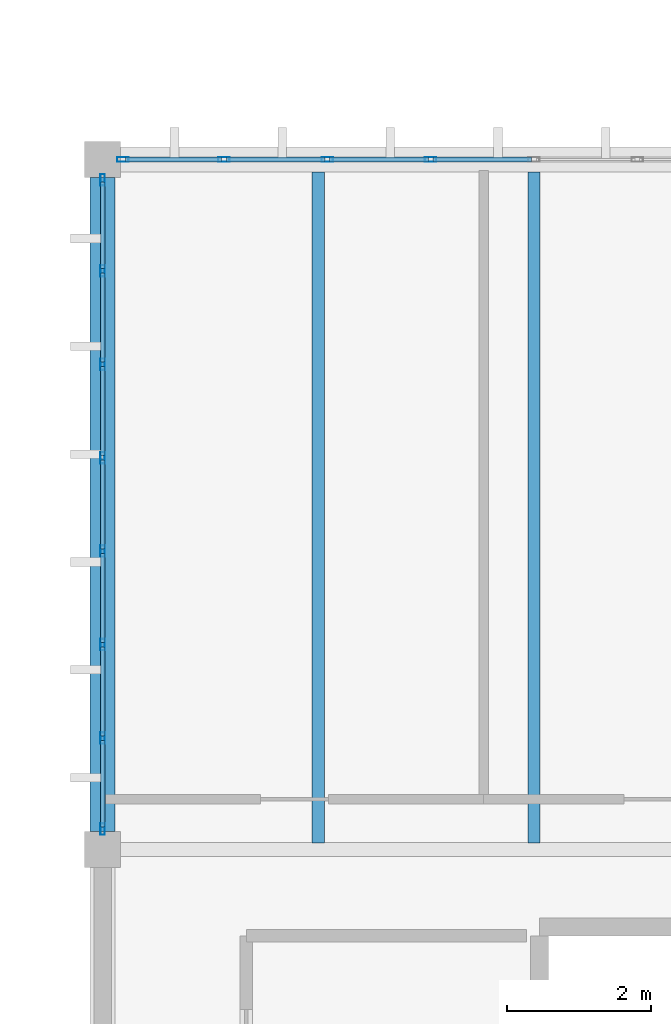
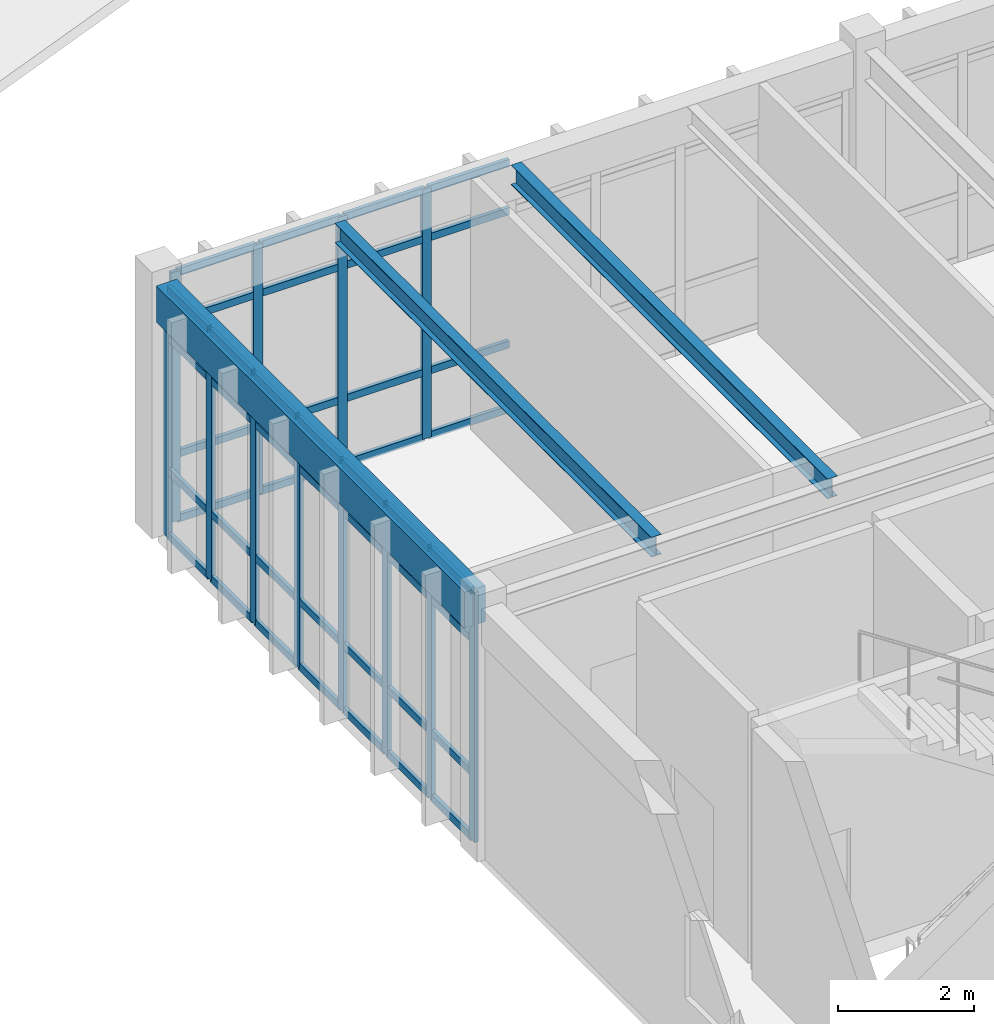
# One storey, part 17 of 236: 56 members, 3 beams, 2 elements without a shape of their own.
"""IFC4 building model written with IfcOpenShell, lengths in metres."""

from ifc_helpers import new_model, si_unit, direction, frame, origin, origin_2d, place, context, subcontext, project, spatial, rectangle, hollow_rectangle, i_section, extrude, material, layer, layer_set, material_profile, profile_set, type_object, element, aggregate, save


model = new_model("IFC4")

# Units and contexts
model_context = context("Model", 3, precision=1e-05, world=origin(), true_north=direction((0.0, 1.0)))
body_context = subcontext(model_context, "Body", "Model", "MODEL_VIEW")
ifc_project = project(units=[si_unit("LENGTHUNIT", "METRE"), si_unit("AREAUNIT", "SQUARE_METRE"), si_unit("VOLUMEUNIT", "CUBIC_METRE"), si_unit("PLANEANGLEUNIT", "RADIAN"), si_unit("MASSUNIT", "GRAM", prefix="KILO")], contexts=[model_context])

# Site, building, storey
site_placement = place(None, origin())
site = spatial("IfcSite", under=ifc_project, at=site_placement, CompositionType="ELEMENT")
building_placement = place(site_placement, origin())
building = spatial("IfcBuilding", under=site, at=building_placement, Name="Pandanus Reach Market Hall", CompositionType="ELEMENT")
storey_placement = place(building_placement, frame((0.0, 0.0, 5.39990234375)))
storey = spatial("IfcBuildingStorey", under=building, at=storey_placement, Name="L01", CompositionType="ELEMENT", Elevation=5.39990234375)

# Beam
ifc_material_1 = material(Name="Concrete N40 (40 MPa)", Category="concrete")
ifc_material_profile_1 = material_profile(ifc_material_1, rectangle(XDim=0.35009765625, YDim=0.64990234375, at=origin_2d()), Name="RC350x650", Category="LoadBearing")
ifc_profile_set_1 = profile_set([ifc_material_profile_1], Name="Concrete N40 (40 MPa)")
beam_type_1 = type_object("IfcBeamType", Name="BM-RC350-E", PredefinedType="SPANDREL", material=ifc_profile_set_1)
beam_placement = place(storey_placement, frame((0.0, 19.447998046875, 4.210205078125), z_axis=(0.0, 1.0, 0.0), x_axis=(-1.0, 0.0, 0.0)))
element("IfcBeam", 1, at=beam_placement, inside=storey, type_object=beam_type_1, Name="Framing beam BM-RC350-E L01.980", PredefinedType="SPANDREL", context=body_context, shape_type="SweptSolid", body=[
    extrude(rectangle(XDim=0.35009765625, YDim=0.64990234375, at=origin_2d()), origin(), (0.0, 0.0, 1.0), 9.10400390625),
])

# Curtain wall, members
ifc_material_2 = material(Name="Bronze anodised aluminium and low-E glass", Category="aluminium")
ifc_layer_1 = layer(ifc_material_2, 0.159912109375, Name="CW-17")
ifc_layer_set_1 = layer_set([ifc_layer_1], Name="Bronze anodised aluminium and low-E glass")
curtain_wall_type_1 = type_object("IfcCurtainWallType", Name="CW-17", PredefinedType="NOTDEFINED", material=ifc_layer_set_1)
curtain_wall_1_placement = place(storey_placement, origin())
curtain_wall_1 = element("IfcCurtainWall", 2, at=curtain_wall_1_placement, inside=storey, type_object=curtain_wall_type_1, Name="Glazed curtain wall CW-17 CW-0057", PredefinedType="NOTDEFINED")
ifc_material_3 = material(Name="Bronze anodised aluminium", Category="aluminium")
ifc_material_profile_2 = material_profile(ifc_material_3, hollow_rectangle(XDim=0.06494140625, YDim=0.159912109375, WallThickness=0.00390625, at=origin_2d()), Name="ALU65x160", Category="LoadBearing")
ifc_profile_set_2 = profile_set([ifc_material_profile_2], Name="Bronze anodised aluminium")
member_type_1 = type_object("IfcMemberType", Name="CW-M1", PredefinedType="MULLION", material=ifc_profile_set_2)
member_1_placement = place(storey_placement, frame((0.282470703125, 28.800048828125, 0.0), z_axis=(0.0, 0.0, 1.0), x_axis=(0.0, 1.0, 0.0)))
member_1 = element("IfcMember", 3, at=member_1_placement, type_object=member_type_1, Name="CW-17 mullion 1", PredefinedType="MULLION", context=body_context, shape_type="SweptSolid", body=[
    extrude(hollow_rectangle(XDim=0.06494140625, YDim=0.159912109375, WallThickness=0.00390625, at=origin_2d()), origin(), (0.0, 0.0, 1.0), 4.5),
])
member_2_placement = place(storey_placement, frame((1.6875, 28.800048828125, 0.0), z_axis=(0.0, 0.0, 1.0), x_axis=(0.0, 1.0, 0.0)))
member_2 = element("IfcMember", 4, at=member_2_placement, type_object=member_type_1, Name="CW-17 mullion 2", PredefinedType="MULLION", context=body_context, shape_type="SweptSolid", body=[
    extrude(hollow_rectangle(XDim=0.06494140625, YDim=0.159912109375, WallThickness=0.00390625, at=origin_2d()), origin(), (0.0, 0.0, 1.0), 4.5),
])
member_3_placement = place(storey_placement, frame((3.125, 28.800048828125, 0.0), z_axis=(0.0, 0.0, 1.0), x_axis=(0.0, 1.0, 0.0)))
member_3 = element("IfcMember", 5, at=member_3_placement, type_object=member_type_1, Name="CW-17 mullion 3", PredefinedType="MULLION", context=body_context, shape_type="SweptSolid", body=[
    extrude(hollow_rectangle(XDim=0.06494140625, YDim=0.159912109375, WallThickness=0.00390625, at=origin_2d()), origin(), (0.0, 0.0, 1.0), 4.5),
])
member_4_placement = place(storey_placement, frame((4.5625, 28.800048828125, 0.0), z_axis=(0.0, 0.0, 1.0), x_axis=(0.0, 1.0, 0.0)))
member_4 = element("IfcMember", 6, at=member_4_placement, type_object=member_type_1, Name="CW-17 mullion 4", PredefinedType="MULLION", context=body_context, shape_type="SweptSolid", body=[
    extrude(hollow_rectangle(XDim=0.06494140625, YDim=0.159912109375, WallThickness=0.00390625, at=origin_2d()), origin(), (0.0, 0.0, 1.0), 4.5),
])

ifc_layer_2 = layer(ifc_material_2, 0.159912109375, Name="CW-19")
ifc_layer_set_2 = layer_set([ifc_layer_2], Name="Bronze anodised aluminium and low-E glass")
curtain_wall_type_2 = type_object("IfcCurtainWallType", Name="CW-19", PredefinedType="NOTDEFINED", material=ifc_layer_set_2)
curtain_wall_2_placement = place(storey_placement, origin())
curtain_wall_2 = element("IfcCurtainWall", 7, at=curtain_wall_2_placement, inside=storey, type_object=curtain_wall_type_2, Name="Glazed curtain wall CW-19 CW-0060", PredefinedType="NOTDEFINED")
member_5_placement = place(storey_placement, frame((0.0, 19.482421875, 0.0), z_axis=(0.0, 0.0, 1.0), x_axis=(-1.0, 0.0, 0.0)))
member_5 = element("IfcMember", 8, at=member_5_placement, type_object=member_type_1, Name="CW-19 mullion 1", PredefinedType="MULLION", context=body_context, shape_type="SweptSolid", body=[
    extrude(hollow_rectangle(XDim=0.06494140625, YDim=0.159912109375, WallThickness=0.00390625, at=origin_2d()), origin(), (0.0, 0.0, 1.0), 4.5),
])
member_6_placement = place(storey_placement, frame((0.0, 20.75, 0.0), z_axis=(0.0, 0.0, 1.0), x_axis=(-1.0, 0.0, 0.0)))
member_6 = element("IfcMember", 9, at=member_6_placement, type_object=member_type_1, Name="CW-19 mullion 2", PredefinedType="MULLION", context=body_context, shape_type="SweptSolid", body=[
    extrude(hollow_rectangle(XDim=0.06494140625, YDim=0.159912109375, WallThickness=0.00390625, at=origin_2d()), origin(), (0.0, 0.0, 1.0), 4.5),
])
member_7_placement = place(storey_placement, frame((0.0, 22.050048828125, 0.0), z_axis=(0.0, 0.0, 1.0), x_axis=(-1.0, 0.0, 0.0)))
member_7 = element("IfcMember", 10, at=member_7_placement, type_object=member_type_1, Name="CW-19 mullion 3", PredefinedType="MULLION", context=body_context, shape_type="SweptSolid", body=[
    extrude(hollow_rectangle(XDim=0.06494140625, YDim=0.159912109375, WallThickness=0.00390625, at=origin_2d()), origin(), (0.0, 0.0, 1.0), 4.5),
])
member_8_placement = place(storey_placement, frame((0.0, 23.35009765625, 0.0), z_axis=(0.0, 0.0, 1.0), x_axis=(-1.0, 0.0, 0.0)))
member_8 = element("IfcMember", 11, at=member_8_placement, type_object=member_type_1, Name="CW-19 mullion 4", PredefinedType="MULLION", context=body_context, shape_type="SweptSolid", body=[
    extrude(hollow_rectangle(XDim=0.06494140625, YDim=0.159912109375, WallThickness=0.00390625, at=origin_2d()), origin(), (0.0, 0.0, 1.0), 4.5),
])
member_9_placement = place(storey_placement, frame((0.0, 24.64990234375, 0.0), z_axis=(0.0, 0.0, 1.0), x_axis=(-1.0, 0.0, 0.0)))
member_9 = element("IfcMember", 12, at=member_9_placement, type_object=member_type_1, Name="CW-19 mullion 5", PredefinedType="MULLION", context=body_context, shape_type="SweptSolid", body=[
    extrude(hollow_rectangle(XDim=0.06494140625, YDim=0.159912109375, WallThickness=0.00390625, at=origin_2d()), origin(), (0.0, 0.0, 1.0), 4.5),
])
member_10_placement = place(storey_placement, frame((0.0, 25.949951171875, 0.0), z_axis=(0.0, 0.0, 1.0), x_axis=(-1.0, 0.0, 0.0)))
member_10 = element("IfcMember", 13, at=member_10_placement, type_object=member_type_1, Name="CW-19 mullion 6", PredefinedType="MULLION", context=body_context, shape_type="SweptSolid", body=[
    extrude(hollow_rectangle(XDim=0.06494140625, YDim=0.159912109375, WallThickness=0.00390625, at=origin_2d()), origin(), (0.0, 0.0, 1.0), 4.5),
])
member_11_placement = place(storey_placement, frame((0.0, 27.25, 0.0), z_axis=(0.0, 0.0, 1.0), x_axis=(-1.0, 0.0, 0.0)))
member_11 = element("IfcMember", 14, at=member_11_placement, type_object=member_type_1, Name="CW-19 mullion 7", PredefinedType="MULLION", context=body_context, shape_type="SweptSolid", body=[
    extrude(hollow_rectangle(XDim=0.06494140625, YDim=0.159912109375, WallThickness=0.00390625, at=origin_2d()), origin(), (0.0, 0.0, 1.0), 4.5),
])
member_12_placement = place(storey_placement, frame((0.0, 28.517578125, 0.0), z_axis=(0.0, 0.0, 1.0), x_axis=(-1.0, 0.0, 0.0)))
member_12 = element("IfcMember", 15, at=member_12_placement, type_object=member_type_1, Name="CW-19 mullion 8", PredefinedType="MULLION", context=body_context, shape_type="SweptSolid", body=[
    extrude(hollow_rectangle(XDim=0.06494140625, YDim=0.159912109375, WallThickness=0.00390625, at=origin_2d()), origin(), (0.0, 0.0, 1.0), 4.5),
])

# Member
ifc_material_profile_3 = material_profile(ifc_material_3, hollow_rectangle(XDim=0.06494140625, YDim=0.1298828125, WallThickness=0.00390625, at=origin_2d()), Name="ALU65x130", Category="LoadBearing")
ifc_profile_set_3 = profile_set([ifc_material_profile_3], Name="Bronze anodised aluminium")
member_type_2 = type_object("IfcMemberType", Name="CW-T1", PredefinedType="USERDEFINED", material=ifc_profile_set_3)
member_13_placement = place(storey_placement, frame((0.31494140625, 28.800048828125, 0.03271484375), z_axis=(1.0, 0.0, 0.0), x_axis=(0.0, 1.0, 0.0)))
member_13 = element("IfcMember", 16, at=member_13_placement, type_object=member_type_2, Name="CW-17 transom 1.1", ObjectType="TRANSOM", PredefinedType="USERDEFINED", context=body_context, shape_type="SweptSolid", body=[
    extrude(hollow_rectangle(XDim=0.06494140625, YDim=0.1298828125, WallThickness=0.00390625, at=origin_2d()), origin(), (0.0, 0.0, 1.0), 1.340087890625),
])

member_14_placement = place(storey_placement, frame((0.31494140625, 28.800048828125, 1.2001953125), z_axis=(1.0, 0.0, 0.0), x_axis=(0.0, 1.0, 0.0)))
member_14 = element("IfcMember", 17, at=member_14_placement, type_object=member_type_2, Name="CW-17 transom 1.2", ObjectType="TRANSOM", PredefinedType="USERDEFINED", context=body_context, shape_type="SweptSolid", body=[
    extrude(hollow_rectangle(XDim=0.06494140625, YDim=0.1298828125, WallThickness=0.00390625, at=origin_2d()), origin(), (0.0, 0.0, 1.0), 1.340087890625),
])

member_15_placement = place(storey_placement, frame((0.31494140625, 28.800048828125, 3.60009765625), z_axis=(1.0, 0.0, 0.0), x_axis=(0.0, 1.0, 0.0)))
member_15 = element("IfcMember", 18, at=member_15_placement, type_object=member_type_2, Name="CW-17 transom 1.3", ObjectType="TRANSOM", PredefinedType="USERDEFINED", context=body_context, shape_type="SweptSolid", body=[
    extrude(hollow_rectangle(XDim=0.06494140625, YDim=0.1298828125, WallThickness=0.00390625, at=origin_2d()), origin(), (0.0, 0.0, 1.0), 1.340087890625),
])

member_16_placement = place(storey_placement, frame((0.31494140625, 28.800048828125, 4.467529296875), z_axis=(1.0, 0.0, 0.0), x_axis=(0.0, 1.0, 0.0)))
member_16 = element("IfcMember", 19, at=member_16_placement, type_object=member_type_2, Name="CW-17 transom 1.4", ObjectType="TRANSOM", PredefinedType="USERDEFINED", context=body_context, shape_type="SweptSolid", body=[
    extrude(hollow_rectangle(XDim=0.06494140625, YDim=0.1298828125, WallThickness=0.00390625, at=origin_2d()), origin(), (0.0, 0.0, 1.0), 1.340087890625),
])

member_17_placement = place(storey_placement, frame((1.719970703125, 28.800048828125, 0.03271484375), z_axis=(1.0, 0.0, 0.0), x_axis=(0.0, 1.0, 0.0)))
member_17 = element("IfcMember", 20, at=member_17_placement, type_object=member_type_2, Name="CW-17 transom 2.1", ObjectType="TRANSOM", PredefinedType="USERDEFINED", context=body_context, shape_type="SweptSolid", body=[
    extrude(hollow_rectangle(XDim=0.06494140625, YDim=0.1298828125, WallThickness=0.00390625, at=origin_2d()), origin(), (0.0, 0.0, 1.0), 1.37255859375),
])

member_18_placement = place(storey_placement, frame((1.719970703125, 28.800048828125, 1.2001953125), z_axis=(1.0, 0.0, 0.0), x_axis=(0.0, 1.0, 0.0)))
member_18 = element("IfcMember", 21, at=member_18_placement, type_object=member_type_2, Name="CW-17 transom 2.2", ObjectType="TRANSOM", PredefinedType="USERDEFINED", context=body_context, shape_type="SweptSolid", body=[
    extrude(hollow_rectangle(XDim=0.06494140625, YDim=0.1298828125, WallThickness=0.00390625, at=origin_2d()), origin(), (0.0, 0.0, 1.0), 1.37255859375),
])

member_19_placement = place(storey_placement, frame((1.719970703125, 28.800048828125, 3.60009765625), z_axis=(1.0, 0.0, 0.0), x_axis=(0.0, 1.0, 0.0)))
member_19 = element("IfcMember", 22, at=member_19_placement, type_object=member_type_2, Name="CW-17 transom 2.3", ObjectType="TRANSOM", PredefinedType="USERDEFINED", context=body_context, shape_type="SweptSolid", body=[
    extrude(hollow_rectangle(XDim=0.06494140625, YDim=0.1298828125, WallThickness=0.00390625, at=origin_2d()), origin(), (0.0, 0.0, 1.0), 1.37255859375),
])

member_20_placement = place(storey_placement, frame((1.719970703125, 28.800048828125, 4.467529296875), z_axis=(1.0, 0.0, 0.0), x_axis=(0.0, 1.0, 0.0)))
member_20 = element("IfcMember", 23, at=member_20_placement, type_object=member_type_2, Name="CW-17 transom 2.4", ObjectType="TRANSOM", PredefinedType="USERDEFINED", context=body_context, shape_type="SweptSolid", body=[
    extrude(hollow_rectangle(XDim=0.06494140625, YDim=0.1298828125, WallThickness=0.00390625, at=origin_2d()), origin(), (0.0, 0.0, 1.0), 1.37255859375),
])

member_21_placement = place(storey_placement, frame((3.157470703125, 28.800048828125, 0.03271484375), z_axis=(1.0, 0.0, 0.0), x_axis=(0.0, 1.0, 0.0)))
member_21 = element("IfcMember", 24, at=member_21_placement, type_object=member_type_2, Name="CW-17 transom 3.1", ObjectType="TRANSOM", PredefinedType="USERDEFINED", context=body_context, shape_type="SweptSolid", body=[
    extrude(hollow_rectangle(XDim=0.06494140625, YDim=0.1298828125, WallThickness=0.00390625, at=origin_2d()), origin(), (0.0, 0.0, 1.0), 1.37255859375),
])

member_22_placement = place(storey_placement, frame((3.157470703125, 28.800048828125, 1.2001953125), z_axis=(1.0, 0.0, 0.0), x_axis=(0.0, 1.0, 0.0)))
member_22 = element("IfcMember", 25, at=member_22_placement, type_object=member_type_2, Name="CW-17 transom 3.2", ObjectType="TRANSOM", PredefinedType="USERDEFINED", context=body_context, shape_type="SweptSolid", body=[
    extrude(hollow_rectangle(XDim=0.06494140625, YDim=0.1298828125, WallThickness=0.00390625, at=origin_2d()), origin(), (0.0, 0.0, 1.0), 1.37255859375),
])

member_23_placement = place(storey_placement, frame((3.157470703125, 28.800048828125, 3.60009765625), z_axis=(1.0, 0.0, 0.0), x_axis=(0.0, 1.0, 0.0)))
member_23 = element("IfcMember", 26, at=member_23_placement, type_object=member_type_2, Name="CW-17 transom 3.3", ObjectType="TRANSOM", PredefinedType="USERDEFINED", context=body_context, shape_type="SweptSolid", body=[
    extrude(hollow_rectangle(XDim=0.06494140625, YDim=0.1298828125, WallThickness=0.00390625, at=origin_2d()), origin(), (0.0, 0.0, 1.0), 1.37255859375),
])

member_24_placement = place(storey_placement, frame((3.157470703125, 28.800048828125, 4.467529296875), z_axis=(1.0, 0.0, 0.0), x_axis=(0.0, 1.0, 0.0)))
member_24 = element("IfcMember", 27, at=member_24_placement, type_object=member_type_2, Name="CW-17 transom 3.4", ObjectType="TRANSOM", PredefinedType="USERDEFINED", context=body_context, shape_type="SweptSolid", body=[
    extrude(hollow_rectangle(XDim=0.06494140625, YDim=0.1298828125, WallThickness=0.00390625, at=origin_2d()), origin(), (0.0, 0.0, 1.0), 1.37255859375),
])

member_25_placement = place(storey_placement, frame((4.594970703125, 28.800048828125, 0.03271484375), z_axis=(1.0, 0.0, 0.0), x_axis=(0.0, 1.0, 0.0)))
member_25 = element("IfcMember", 28, at=member_25_placement, type_object=member_type_2, Name="CW-17 transom 4.1", ObjectType="TRANSOM", PredefinedType="USERDEFINED", context=body_context, shape_type="SweptSolid", body=[
    extrude(hollow_rectangle(XDim=0.06494140625, YDim=0.1298828125, WallThickness=0.00390625, at=origin_2d()), origin(), (0.0, 0.0, 1.0), 1.37255859375),
])

member_26_placement = place(storey_placement, frame((4.594970703125, 28.800048828125, 1.2001953125), z_axis=(1.0, 0.0, 0.0), x_axis=(0.0, 1.0, 0.0)))
member_26 = element("IfcMember", 29, at=member_26_placement, type_object=member_type_2, Name="CW-17 transom 4.2", ObjectType="TRANSOM", PredefinedType="USERDEFINED", context=body_context, shape_type="SweptSolid", body=[
    extrude(hollow_rectangle(XDim=0.06494140625, YDim=0.1298828125, WallThickness=0.00390625, at=origin_2d()), origin(), (0.0, 0.0, 1.0), 1.37255859375),
])

member_27_placement = place(storey_placement, frame((4.594970703125, 28.800048828125, 3.60009765625), z_axis=(1.0, 0.0, 0.0), x_axis=(0.0, 1.0, 0.0)))
member_27 = element("IfcMember", 30, at=member_27_placement, type_object=member_type_2, Name="CW-17 transom 4.3", ObjectType="TRANSOM", PredefinedType="USERDEFINED", context=body_context, shape_type="SweptSolid", body=[
    extrude(hollow_rectangle(XDim=0.06494140625, YDim=0.1298828125, WallThickness=0.00390625, at=origin_2d()), origin(), (0.0, 0.0, 1.0), 1.37255859375),
])

member_28_placement = place(storey_placement, frame((4.594970703125, 28.800048828125, 4.467529296875), z_axis=(1.0, 0.0, 0.0), x_axis=(0.0, 1.0, 0.0)))
member_28 = element("IfcMember", 31, at=member_28_placement, type_object=member_type_2, Name="CW-17 transom 4.4", ObjectType="TRANSOM", PredefinedType="USERDEFINED", context=body_context, shape_type="SweptSolid", body=[
    extrude(hollow_rectangle(XDim=0.06494140625, YDim=0.1298828125, WallThickness=0.00390625, at=origin_2d()), origin(), (0.0, 0.0, 1.0), 1.37255859375),
])

aggregate(curtain_wall_1, [member_1, member_2, member_3, member_4, member_13, member_14, member_15, member_16, member_17, member_18, member_19, member_20, member_21, member_22, member_23, member_24, member_25, member_26, member_27, member_28])

member_29_placement = place(storey_placement, frame((0.0, 19.514892578125, 0.03271484375), z_axis=(0.0, 1.0, 0.0), x_axis=(-1.0, 0.0, 0.0)))
member_29 = element("IfcMember", 32, at=member_29_placement, type_object=member_type_2, Name="CW-19 transom 1.1", ObjectType="TRANSOM", PredefinedType="USERDEFINED", context=body_context, shape_type="SweptSolid", body=[
    extrude(hollow_rectangle(XDim=0.06494140625, YDim=0.1298828125, WallThickness=0.00390625, at=origin_2d()), origin(), (0.0, 0.0, 1.0), 1.20263671875),
])

member_30_placement = place(storey_placement, frame((0.0, 19.514892578125, 1.2001953125), z_axis=(0.0, 1.0, 0.0), x_axis=(-1.0, 0.0, 0.0)))
member_30 = element("IfcMember", 33, at=member_30_placement, type_object=member_type_2, Name="CW-19 transom 1.2", ObjectType="TRANSOM", PredefinedType="USERDEFINED", context=body_context, shape_type="SweptSolid", body=[
    extrude(hollow_rectangle(XDim=0.06494140625, YDim=0.1298828125, WallThickness=0.00390625, at=origin_2d()), origin(), (0.0, 0.0, 1.0), 1.20263671875),
])

member_31_placement = place(storey_placement, frame((0.0, 19.514892578125, 3.60009765625), z_axis=(0.0, 1.0, 0.0), x_axis=(-1.0, 0.0, 0.0)))
member_31 = element("IfcMember", 34, at=member_31_placement, type_object=member_type_2, Name="CW-19 transom 1.3", ObjectType="TRANSOM", PredefinedType="USERDEFINED", context=body_context, shape_type="SweptSolid", body=[
    extrude(hollow_rectangle(XDim=0.06494140625, YDim=0.1298828125, WallThickness=0.00390625, at=origin_2d()), origin(), (0.0, 0.0, 1.0), 1.20263671875),
])

member_32_placement = place(storey_placement, frame((0.0, 19.514892578125, 4.467529296875), z_axis=(0.0, 1.0, 0.0), x_axis=(-1.0, 0.0, 0.0)))
member_32 = element("IfcMember", 35, at=member_32_placement, type_object=member_type_2, Name="CW-19 transom 1.4", ObjectType="TRANSOM", PredefinedType="USERDEFINED", context=body_context, shape_type="SweptSolid", body=[
    extrude(hollow_rectangle(XDim=0.06494140625, YDim=0.1298828125, WallThickness=0.00390625, at=origin_2d()), origin(), (0.0, 0.0, 1.0), 1.20263671875),
])

member_33_placement = place(storey_placement, frame((0.0, 20.782470703125, 0.03271484375), z_axis=(0.0, 1.0, 0.0), x_axis=(-1.0, 0.0, 0.0)))
member_33 = element("IfcMember", 36, at=member_33_placement, type_object=member_type_2, Name="CW-19 transom 2.1", ObjectType="TRANSOM", PredefinedType="USERDEFINED", context=body_context, shape_type="SweptSolid", body=[
    extrude(hollow_rectangle(XDim=0.06494140625, YDim=0.1298828125, WallThickness=0.00390625, at=origin_2d()), origin(), (0.0, 0.0, 1.0), 1.235107421875),
])

member_34_placement = place(storey_placement, frame((0.0, 20.782470703125, 1.2001953125), z_axis=(0.0, 1.0, 0.0), x_axis=(-1.0, 0.0, 0.0)))
member_34 = element("IfcMember", 37, at=member_34_placement, type_object=member_type_2, Name="CW-19 transom 2.2", ObjectType="TRANSOM", PredefinedType="USERDEFINED", context=body_context, shape_type="SweptSolid", body=[
    extrude(hollow_rectangle(XDim=0.06494140625, YDim=0.1298828125, WallThickness=0.00390625, at=origin_2d()), origin(), (0.0, 0.0, 1.0), 1.235107421875),
])

member_35_placement = place(storey_placement, frame((0.0, 20.782470703125, 3.60009765625), z_axis=(0.0, 1.0, 0.0), x_axis=(-1.0, 0.0, 0.0)))
member_35 = element("IfcMember", 38, at=member_35_placement, type_object=member_type_2, Name="CW-19 transom 2.3", ObjectType="TRANSOM", PredefinedType="USERDEFINED", context=body_context, shape_type="SweptSolid", body=[
    extrude(hollow_rectangle(XDim=0.06494140625, YDim=0.1298828125, WallThickness=0.00390625, at=origin_2d()), origin(), (0.0, 0.0, 1.0), 1.235107421875),
])

member_36_placement = place(storey_placement, frame((0.0, 20.782470703125, 4.467529296875), z_axis=(0.0, 1.0, 0.0), x_axis=(-1.0, 0.0, 0.0)))
member_36 = element("IfcMember", 39, at=member_36_placement, type_object=member_type_2, Name="CW-19 transom 2.4", ObjectType="TRANSOM", PredefinedType="USERDEFINED", context=body_context, shape_type="SweptSolid", body=[
    extrude(hollow_rectangle(XDim=0.06494140625, YDim=0.1298828125, WallThickness=0.00390625, at=origin_2d()), origin(), (0.0, 0.0, 1.0), 1.235107421875),
])

member_37_placement = place(storey_placement, frame((0.0, 22.08251953125, 0.03271484375), z_axis=(0.0, 1.0, 0.0), x_axis=(-1.0, 0.0, 0.0)))
member_37 = element("IfcMember", 40, at=member_37_placement, type_object=member_type_2, Name="CW-19 transom 3.1", ObjectType="TRANSOM", PredefinedType="USERDEFINED", context=body_context, shape_type="SweptSolid", body=[
    extrude(hollow_rectangle(XDim=0.06494140625, YDim=0.1298828125, WallThickness=0.00390625, at=origin_2d()), origin(), (0.0, 0.0, 1.0), 1.23486328125),
])

member_38_placement = place(storey_placement, frame((0.0, 22.08251953125, 1.2001953125), z_axis=(0.0, 1.0, 0.0), x_axis=(-1.0, 0.0, 0.0)))
member_38 = element("IfcMember", 41, at=member_38_placement, type_object=member_type_2, Name="CW-19 transom 3.2", ObjectType="TRANSOM", PredefinedType="USERDEFINED", context=body_context, shape_type="SweptSolid", body=[
    extrude(hollow_rectangle(XDim=0.06494140625, YDim=0.1298828125, WallThickness=0.00390625, at=origin_2d()), origin(), (0.0, 0.0, 1.0), 1.23486328125),
])

member_39_placement = place(storey_placement, frame((0.0, 22.08251953125, 3.60009765625), z_axis=(0.0, 1.0, 0.0), x_axis=(-1.0, 0.0, 0.0)))
member_39 = element("IfcMember", 42, at=member_39_placement, type_object=member_type_2, Name="CW-19 transom 3.3", ObjectType="TRANSOM", PredefinedType="USERDEFINED", context=body_context, shape_type="SweptSolid", body=[
    extrude(hollow_rectangle(XDim=0.06494140625, YDim=0.1298828125, WallThickness=0.00390625, at=origin_2d()), origin(), (0.0, 0.0, 1.0), 1.23486328125),
])

member_40_placement = place(storey_placement, frame((0.0, 22.08251953125, 4.467529296875), z_axis=(0.0, 1.0, 0.0), x_axis=(-1.0, 0.0, 0.0)))
member_40 = element("IfcMember", 43, at=member_40_placement, type_object=member_type_2, Name="CW-19 transom 3.4", ObjectType="TRANSOM", PredefinedType="USERDEFINED", context=body_context, shape_type="SweptSolid", body=[
    extrude(hollow_rectangle(XDim=0.06494140625, YDim=0.1298828125, WallThickness=0.00390625, at=origin_2d()), origin(), (0.0, 0.0, 1.0), 1.23486328125),
])

member_41_placement = place(storey_placement, frame((0.0, 23.382568359375, 0.03271484375), z_axis=(0.0, 1.0, 0.0), x_axis=(-1.0, 0.0, 0.0)))
member_41 = element("IfcMember", 44, at=member_41_placement, type_object=member_type_2, Name="CW-19 transom 4.1", ObjectType="TRANSOM", PredefinedType="USERDEFINED", context=body_context, shape_type="SweptSolid", body=[
    extrude(hollow_rectangle(XDim=0.06494140625, YDim=0.1298828125, WallThickness=0.00390625, at=origin_2d()), origin(), (0.0, 0.0, 1.0), 1.23486328125),
])

member_42_placement = place(storey_placement, frame((0.0, 23.382568359375, 1.2001953125), z_axis=(0.0, 1.0, 0.0), x_axis=(-1.0, 0.0, 0.0)))
member_42 = element("IfcMember", 45, at=member_42_placement, type_object=member_type_2, Name="CW-19 transom 4.2", ObjectType="TRANSOM", PredefinedType="USERDEFINED", context=body_context, shape_type="SweptSolid", body=[
    extrude(hollow_rectangle(XDim=0.06494140625, YDim=0.1298828125, WallThickness=0.00390625, at=origin_2d()), origin(), (0.0, 0.0, 1.0), 1.23486328125),
])

member_43_placement = place(storey_placement, frame((0.0, 23.382568359375, 3.60009765625), z_axis=(0.0, 1.0, 0.0), x_axis=(-1.0, 0.0, 0.0)))
member_43 = element("IfcMember", 46, at=member_43_placement, type_object=member_type_2, Name="CW-19 transom 4.3", ObjectType="TRANSOM", PredefinedType="USERDEFINED", context=body_context, shape_type="SweptSolid", body=[
    extrude(hollow_rectangle(XDim=0.06494140625, YDim=0.1298828125, WallThickness=0.00390625, at=origin_2d()), origin(), (0.0, 0.0, 1.0), 1.23486328125),
])

member_44_placement = place(storey_placement, frame((0.0, 23.382568359375, 4.467529296875), z_axis=(0.0, 1.0, 0.0), x_axis=(-1.0, 0.0, 0.0)))
member_44 = element("IfcMember", 47, at=member_44_placement, type_object=member_type_2, Name="CW-19 transom 4.4", ObjectType="TRANSOM", PredefinedType="USERDEFINED", context=body_context, shape_type="SweptSolid", body=[
    extrude(hollow_rectangle(XDim=0.06494140625, YDim=0.1298828125, WallThickness=0.00390625, at=origin_2d()), origin(), (0.0, 0.0, 1.0), 1.23486328125),
])

member_45_placement = place(storey_placement, frame((0.0, 24.6826171875, 0.03271484375), z_axis=(0.0, 1.0, 0.0), x_axis=(-1.0, 0.0, 0.0)))
member_45 = element("IfcMember", 48, at=member_45_placement, type_object=member_type_2, Name="CW-19 transom 5.1", ObjectType="TRANSOM", PredefinedType="USERDEFINED", context=body_context, shape_type="SweptSolid", body=[
    extrude(hollow_rectangle(XDim=0.06494140625, YDim=0.1298828125, WallThickness=0.00390625, at=origin_2d()), origin(), (0.0, 0.0, 1.0), 1.23486328125),
])

member_46_placement = place(storey_placement, frame((0.0, 24.6826171875, 1.2001953125), z_axis=(0.0, 1.0, 0.0), x_axis=(-1.0, 0.0, 0.0)))
member_46 = element("IfcMember", 49, at=member_46_placement, type_object=member_type_2, Name="CW-19 transom 5.2", ObjectType="TRANSOM", PredefinedType="USERDEFINED", context=body_context, shape_type="SweptSolid", body=[
    extrude(hollow_rectangle(XDim=0.06494140625, YDim=0.1298828125, WallThickness=0.00390625, at=origin_2d()), origin(), (0.0, 0.0, 1.0), 1.23486328125),
])

member_47_placement = place(storey_placement, frame((0.0, 24.6826171875, 3.60009765625), z_axis=(0.0, 1.0, 0.0), x_axis=(-1.0, 0.0, 0.0)))
member_47 = element("IfcMember", 50, at=member_47_placement, type_object=member_type_2, Name="CW-19 transom 5.3", ObjectType="TRANSOM", PredefinedType="USERDEFINED", context=body_context, shape_type="SweptSolid", body=[
    extrude(hollow_rectangle(XDim=0.06494140625, YDim=0.1298828125, WallThickness=0.00390625, at=origin_2d()), origin(), (0.0, 0.0, 1.0), 1.23486328125),
])

member_48_placement = place(storey_placement, frame((0.0, 24.6826171875, 4.467529296875), z_axis=(0.0, 1.0, 0.0), x_axis=(-1.0, 0.0, 0.0)))
member_48 = element("IfcMember", 51, at=member_48_placement, type_object=member_type_2, Name="CW-19 transom 5.4", ObjectType="TRANSOM", PredefinedType="USERDEFINED", context=body_context, shape_type="SweptSolid", body=[
    extrude(hollow_rectangle(XDim=0.06494140625, YDim=0.1298828125, WallThickness=0.00390625, at=origin_2d()), origin(), (0.0, 0.0, 1.0), 1.23486328125),
])

member_49_placement = place(storey_placement, frame((0.0, 25.982421875, 0.03271484375), z_axis=(0.0, 1.0, 0.0), x_axis=(-1.0, 0.0, 0.0)))
member_49 = element("IfcMember", 52, at=member_49_placement, type_object=member_type_2, Name="CW-19 transom 6.1", ObjectType="TRANSOM", PredefinedType="USERDEFINED", context=body_context, shape_type="SweptSolid", body=[
    extrude(hollow_rectangle(XDim=0.06494140625, YDim=0.1298828125, WallThickness=0.00390625, at=origin_2d()), origin(), (0.0, 0.0, 1.0), 1.235107421875),
])

member_50_placement = place(storey_placement, frame((0.0, 25.982421875, 1.2001953125), z_axis=(0.0, 1.0, 0.0), x_axis=(-1.0, 0.0, 0.0)))
member_50 = element("IfcMember", 53, at=member_50_placement, type_object=member_type_2, Name="CW-19 transom 6.2", ObjectType="TRANSOM", PredefinedType="USERDEFINED", context=body_context, shape_type="SweptSolid", body=[
    extrude(hollow_rectangle(XDim=0.06494140625, YDim=0.1298828125, WallThickness=0.00390625, at=origin_2d()), origin(), (0.0, 0.0, 1.0), 1.235107421875),
])

member_51_placement = place(storey_placement, frame((0.0, 25.982421875, 3.60009765625), z_axis=(0.0, 1.0, 0.0), x_axis=(-1.0, 0.0, 0.0)))
member_51 = element("IfcMember", 54, at=member_51_placement, type_object=member_type_2, Name="CW-19 transom 6.3", ObjectType="TRANSOM", PredefinedType="USERDEFINED", context=body_context, shape_type="SweptSolid", body=[
    extrude(hollow_rectangle(XDim=0.06494140625, YDim=0.1298828125, WallThickness=0.00390625, at=origin_2d()), origin(), (0.0, 0.0, 1.0), 1.235107421875),
])

member_52_placement = place(storey_placement, frame((0.0, 25.982421875, 4.467529296875), z_axis=(0.0, 1.0, 0.0), x_axis=(-1.0, 0.0, 0.0)))
member_52 = element("IfcMember", 55, at=member_52_placement, type_object=member_type_2, Name="CW-19 transom 6.4", ObjectType="TRANSOM", PredefinedType="USERDEFINED", context=body_context, shape_type="SweptSolid", body=[
    extrude(hollow_rectangle(XDim=0.06494140625, YDim=0.1298828125, WallThickness=0.00390625, at=origin_2d()), origin(), (0.0, 0.0, 1.0), 1.235107421875),
])

member_53_placement = place(storey_placement, frame((0.0, 27.282470703125, 0.03271484375), z_axis=(0.0, 1.0, 0.0), x_axis=(-1.0, 0.0, 0.0)))
member_53 = element("IfcMember", 56, at=member_53_placement, type_object=member_type_2, Name="CW-19 transom 7.1", ObjectType="TRANSOM", PredefinedType="USERDEFINED", context=body_context, shape_type="SweptSolid", body=[
    extrude(hollow_rectangle(XDim=0.06494140625, YDim=0.1298828125, WallThickness=0.00390625, at=origin_2d()), origin(), (0.0, 0.0, 1.0), 1.20263671875),
])

member_54_placement = place(storey_placement, frame((0.0, 27.282470703125, 1.2001953125), z_axis=(0.0, 1.0, 0.0), x_axis=(-1.0, 0.0, 0.0)))
member_54 = element("IfcMember", 57, at=member_54_placement, type_object=member_type_2, Name="CW-19 transom 7.2", ObjectType="TRANSOM", PredefinedType="USERDEFINED", context=body_context, shape_type="SweptSolid", body=[
    extrude(hollow_rectangle(XDim=0.06494140625, YDim=0.1298828125, WallThickness=0.00390625, at=origin_2d()), origin(), (0.0, 0.0, 1.0), 1.20263671875),
])

member_55_placement = place(storey_placement, frame((0.0, 27.282470703125, 3.60009765625), z_axis=(0.0, 1.0, 0.0), x_axis=(-1.0, 0.0, 0.0)))
member_55 = element("IfcMember", 58, at=member_55_placement, type_object=member_type_2, Name="CW-19 transom 7.3", ObjectType="TRANSOM", PredefinedType="USERDEFINED", context=body_context, shape_type="SweptSolid", body=[
    extrude(hollow_rectangle(XDim=0.06494140625, YDim=0.1298828125, WallThickness=0.00390625, at=origin_2d()), origin(), (0.0, 0.0, 1.0), 1.20263671875),
])

member_56_placement = place(storey_placement, frame((0.0, 27.282470703125, 4.467529296875), z_axis=(0.0, 1.0, 0.0), x_axis=(-1.0, 0.0, 0.0)))
member_56 = element("IfcMember", 59, at=member_56_placement, type_object=member_type_2, Name="CW-19 transom 7.4", ObjectType="TRANSOM", PredefinedType="USERDEFINED", context=body_context, shape_type="SweptSolid", body=[
    extrude(hollow_rectangle(XDim=0.06494140625, YDim=0.1298828125, WallThickness=0.00390625, at=origin_2d()), origin(), (0.0, 0.0, 1.0), 1.20263671875),
])

aggregate(curtain_wall_2, [member_5, member_6, member_7, member_8, member_9, member_10, member_11, member_12, member_29, member_30, member_31, member_32, member_33, member_34, member_35, member_36, member_37, member_38, member_39, member_40, member_41, member_42, member_43, member_44, member_45, member_46, member_47, member_48, member_49, member_50, member_51, member_52, member_53, member_54, member_55, member_56])

# Beams
ifc_material_4 = material(Name="Steel Grade 350 (350 MPa)", Category="steel")
ifc_material_profile_4 = material_profile(ifc_material_4, i_section(OverallWidth=0.1708984375, OverallDepth=0.35595703125, WebThickness=0.00732421875, FlangeThickness=0.011474609375, at=origin_2d()), Name="360UB50.7", Category="LoadBearing")
ifc_profile_set_4 = profile_set([ifc_material_profile_4], Name="Steel Grade 350 (350 MPa)")
beam_type_2 = type_object("IfcBeamType", Name="JS-UB360-I", PredefinedType="JOIST", material=ifc_profile_set_4)
for number, where, z_axis, x_axis, name in (
    (60, (3.0, 19.29296875, 4.356689453125), (0.0, 1.0, 0.0), (-1.0, 0.0, 0.0), "Secondary joist JS-UB360-I L01.993"),
    (61, (6.0, 19.29296875, 4.356689453125), (0.0, 1.0, 0.0), (-1.0, 0.0, 0.0), "Secondary joist JS-UB360-I L01.994"),
):
    element("IfcBeam", number, at=place(storey_placement, frame(where, z_axis=z_axis, x_axis=x_axis)), inside=storey, type_object=beam_type_2, Name=name, PredefinedType="JOIST", context=body_context, shape_type="SweptSolid", body=[
        extrude(i_section(OverallWidth=0.1708984375, OverallDepth=0.35595703125, WebThickness=0.00732421875, FlangeThickness=0.011474609375, at=origin_2d()), origin(), (0.0, 0.0, 1.0), 9.333984375),
    ])

save(model, "model.ifc")
